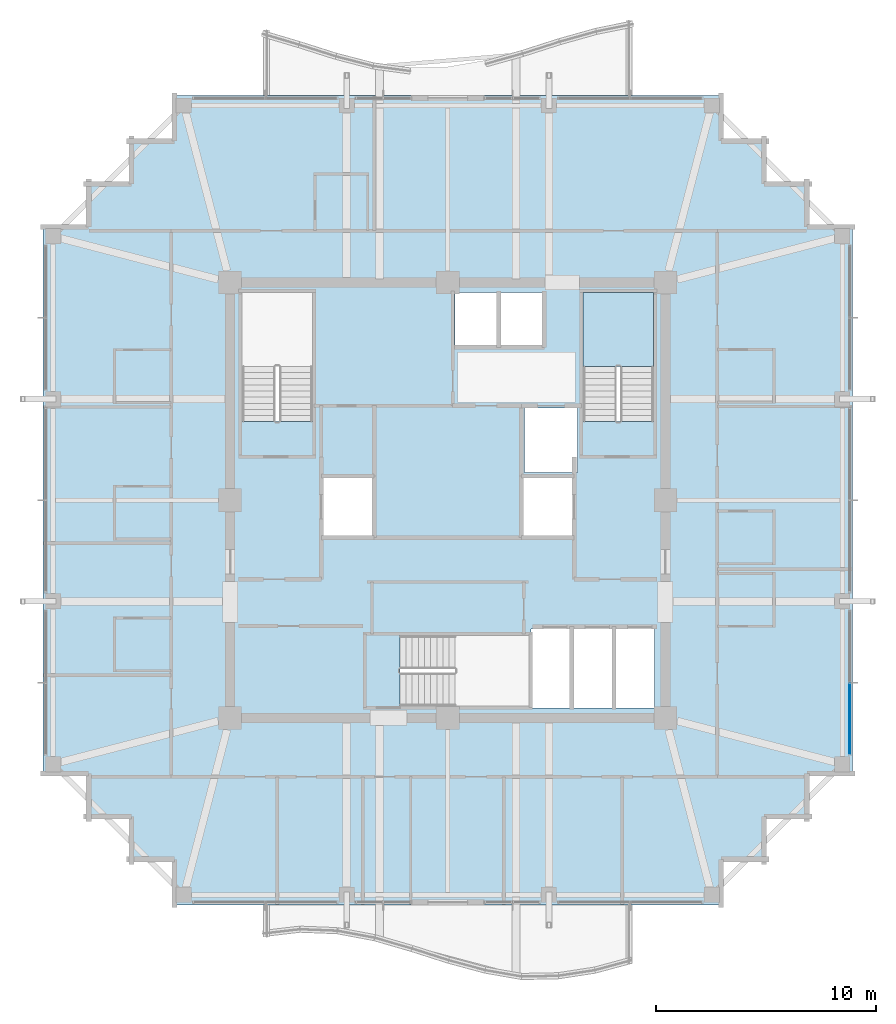
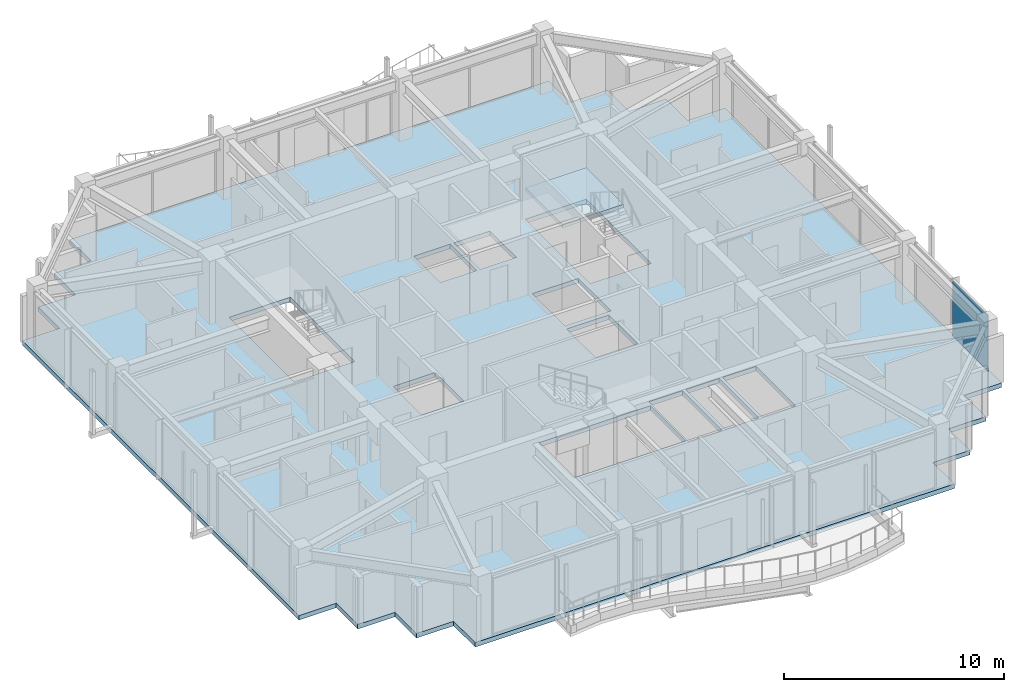
# One storey, part 23 of 31: 2 slabs, 1 plate, 2 elements without a shape of their own.
"""IFC4 building model written with IfcOpenShell, lengths in metres."""

from ifc_helpers import new_model, si_unit, direction, frame, origin, origin_2d, place, context, subcontext, project, spatial, polyline, rectangle, outline, extrude, material, layer, layer_set, type_object, element, aggregate, save


model = new_model("IFC4")

# Units and contexts
model_context = context("Model", 3, precision=1e-05, world=origin(), true_north=direction((0.0, 1.0)))
body_context = subcontext(model_context, "Body", "Model", "MODEL_VIEW")
ifc_project = project(units=[si_unit("LENGTHUNIT", "METRE"), si_unit("AREAUNIT", "SQUARE_METRE"), si_unit("VOLUMEUNIT", "CUBIC_METRE"), si_unit("PLANEANGLEUNIT", "RADIAN"), si_unit("MASSUNIT", "GRAM", prefix="KILO")], contexts=[model_context])

# Site, building, storey
site_placement = place(None, origin())
site = spatial("IfcSite", under=ifc_project, at=site_placement, CompositionType="ELEMENT")
building_placement = place(site_placement, origin())
building = spatial("IfcBuilding", under=site, at=building_placement, Name="Kolvaren Belvedere", CompositionType="ELEMENT")
storey_placement = place(building_placement, frame((0.0, 0.0, 247.89990234375)))
storey = spatial("IfcBuildingStorey", under=building, at=storey_placement, Name="L72", CompositionType="ELEMENT", Elevation=247.89990234375)

# Curtain wall, plate
ifc_material_1 = material(Name="Anodised pale-metal aluminium AA 6063-T6", Category="aluminium")
curtain_wall_type = type_object("IfcCurtainWallType", Name="CW-Z5-HIGH", PredefinedType="NOTDEFINED", material=ifc_material_1)
curtain_wall_placement = place(storey_placement, origin())
curtain_wall = element("IfcCurtainWall", 1, at=curtain_wall_placement, inside=storey, type_object=curtain_wall_type, Name="L72 Unitised Curtain Wall FCW-L72-E-B3", PredefinedType="NOTDEFINED")
ifc_material_2 = material(Name="Low-iron triple insulated glass", Category="glass")
ifc_layer_1 = layer(ifc_material_2, 0.028076171875)
ifc_layer_set_1 = layer_set([ifc_layer_1], Name="Low-iron triple insulated glass")
plate_type = type_object("IfcPlateType", Name="CW-PNL-VIS28", PredefinedType="CURTAIN_PANEL", material=ifc_layer_set_1)
plate_placement = place(storey_placement, frame((18.280029296875, -9.947509765625, 0.080078125), z_axis=(0.0, 0.0, 1.0), x_axis=(0.0, -1.0, 0.0)))
plate = element("IfcPlate", 2, at=plate_placement, type_object=plate_type, Name="FCW-L72-E-B3 Vision Glazing Panel 2", PredefinedType="CURTAIN_PANEL", context=body_context, shape_type="SweptSolid", body=[
    extrude(rectangle(XDim=3.215087890625, YDim=0.028076171875, at=origin_2d()), origin(), (0.0, 0.0, 1.0), 3.090087890625),
])
aggregate(curtain_wall, [plate])

# Slab
ifc_material_3 = material(Name="Concrete C50/60", Category="concrete")
ifc_layer_2 = layer(ifc_material_3, 0.25)
ifc_layer_set_2 = layer_set([ifc_layer_2], Name="Concrete C50/60")
slab_type_1 = type_object("IfcSlabType", Name="SL-FLR-250", PredefinedType="FLOOR", material=ifc_layer_set_2)
slab_1_placement = place(storey_placement, frame((0.0, 0.0, -0.25)))
element("IfcSlab", 3, at=slab_1_placement, inside=storey, type_object=slab_type_1, Name="L72 Primary Structural Slab", PredefinedType="FLOOR", context=body_context, shape_type="SweptSolid", body=[
    extrude(outline(polyline([(-12.550048828125, -18.39990234375), (12.550048828125, -18.39990234375), (12.550048828125, -16.449951171875), (14.5, -16.449951171875), (14.5, -14.5), (16.449951171875, -14.5), (16.449951171875, -12.550048828125), (18.39990234375, -12.550048828125), (18.39990234375, 12.550048828125), (16.449951171875, 12.550048828125), (16.449951171875, 14.5), (14.5, 14.5), (14.5, 16.449951171875), (12.550048828125, 16.449951171875), (12.550048828125, 18.39990234375), (-12.550048828125, 18.39990234375), (-12.550048828125, 16.449951171875), (-14.5, 16.449951171875), (-14.5, 14.5), (-16.449951171875, 14.5), (-16.449951171875, 12.550048828125), (-18.39990234375, 12.550048828125), (-18.39990234375, -12.550048828125), (-16.449951171875, -12.550048828125), (-16.449951171875, -14.5), (-14.5, -14.5), (-14.5, -16.449951171875), (-12.550048828125, -16.449951171875), (-12.550048828125, -18.39990234375)]), holes=[polyline([(-9.35009765625, 3.580078125), (-6.159912109375, 3.580078125), (-6.159912109375, 9.449951171875), (-9.35009765625, 9.449951171875), (-9.35009765625, 3.580078125)]), polyline([(6.159912109375, 3.580078125), (9.35009765625, 3.580078125), (9.35009765625, 9.449951171875), (6.159912109375, 9.449951171875), (6.159912109375, 3.580078125)]), polyline([(-2.169921875, -9.35009765625), (3.699951171875, -9.35009765625), (3.699951171875, -6.159912109375), (-2.169921875, -6.159912109375), (-2.169921875, -9.35009765625)]), polyline([(-5.64990234375, -1.60009765625), (-3.449951171875, -1.60009765625), (-3.449951171875, 1.0), (-5.64990234375, 1.0), (-5.64990234375, -1.60009765625)]), polyline([(3.5, 1.25), (5.89990234375, 1.25), (5.89990234375, 4.199951171875), (3.5, 4.199951171875), (3.5, 1.25)]), polyline([(3.449951171875, -1.60009765625), (5.64990234375, -1.60009765625), (5.64990234375, 1.0), (3.449951171875, 1.0), (3.449951171875, -1.60009765625)]), polyline([(3.7900390625, -9.449951171875), (5.5400390625, -9.449951171875), (5.5400390625, -5.85009765625), (3.7900390625, -5.85009765625), (3.7900390625, -9.449951171875)]), polyline([(5.719970703125, -9.449951171875), (7.469970703125, -9.449951171875), (7.469970703125, -5.85009765625), (5.719970703125, -5.85009765625), (5.719970703125, -9.449951171875)]), polyline([(7.64990234375, -9.449951171875), (9.39990234375, -9.449951171875), (9.39990234375, -5.85009765625), (7.64990234375, -5.85009765625), (7.64990234375, -9.449951171875)]), polyline([(0.320068359375, 7.050048828125), (2.219970703125, 7.050048828125), (2.219970703125, 9.449951171875), (0.320068359375, 9.449951171875), (0.320068359375, 7.050048828125)]), polyline([(2.39990234375, 7.050048828125), (4.300048828125, 7.050048828125), (4.300048828125, 9.449951171875), (2.39990234375, 9.449951171875), (2.39990234375, 7.050048828125)])]), origin(), (0.0, 0.0, 1.0), 0.25),
])

# Stair, slab
ifc_material_4 = material(Name="Concrete C50/60", Category="concrete")
stair_type = type_object("IfcStairType", Name="ST-CORE-1520", PredefinedType="HALF_TURN_STAIR", material=ifc_material_4)
stair_placement = place(storey_placement, origin())
stair = element("IfcStair", 4, at=stair_placement, inside=storey, type_object=stair_type, Name="L72 Protected Exit Stair ST-2", PredefinedType="HALF_TURN_STAIR")
ifc_material_5 = material(Name="Concrete C50/60", Category="concrete")
ifc_layer_3 = layer(ifc_material_5, 0.260009765625)
ifc_layer_set_3 = layer_set([ifc_layer_3], Name="Concrete C50/60")
slab_type_2 = type_object("IfcSlabType", Name="SL-LAND-260", PredefinedType="LANDING", material=ifc_layer_set_3)
slab_2_placement = place(storey_placement, frame((0.0, 0.0, 1.550048828125)))
slab_2 = element("IfcSlab", 5, at=slab_2_placement, type_object=slab_type_2, Name="ST-2 landing 1", PredefinedType="LANDING", context=body_context, shape_type="SweptSolid", body=[
    extrude(outline(polyline([(9.35009765625, 6.090087890625), (9.35009765625, 9.449951171875), (6.159912109375, 9.449951171875), (6.159912109375, 6.090087890625), (9.35009765625, 6.090087890625)])), origin(), (0.0, 0.0, 1.0), 0.199951171875),
])
aggregate(stair, [slab_2])

save(model, "model.ifc")
